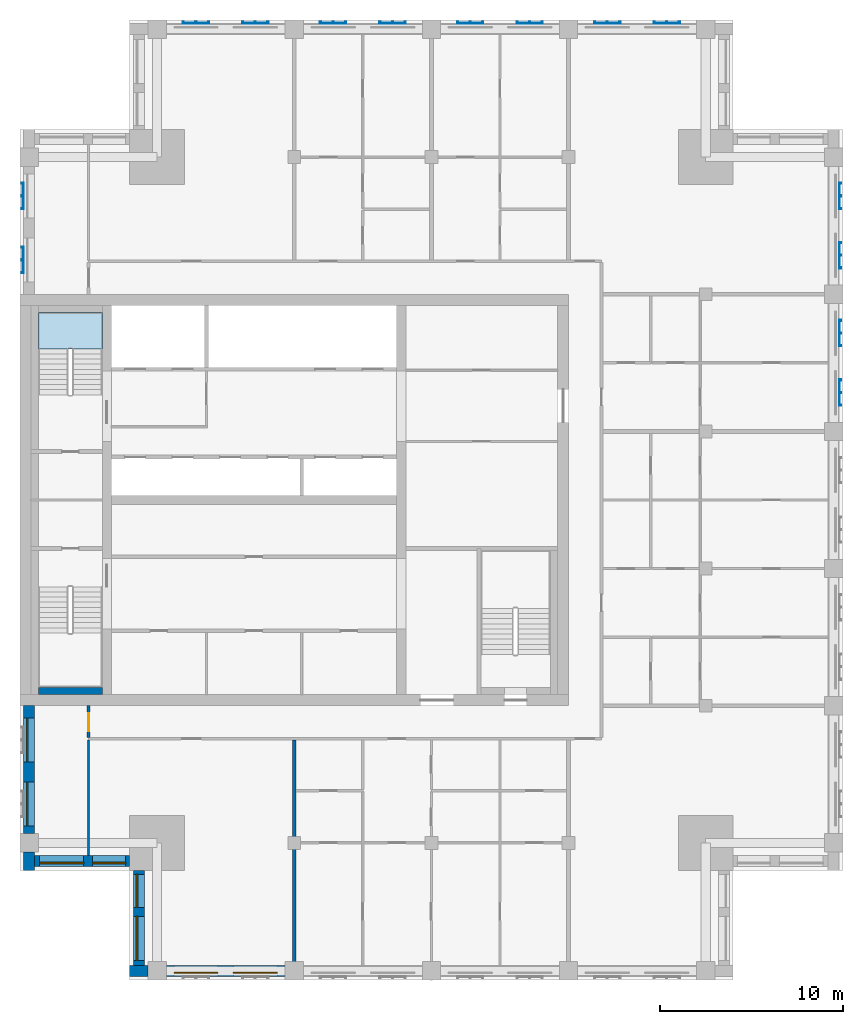
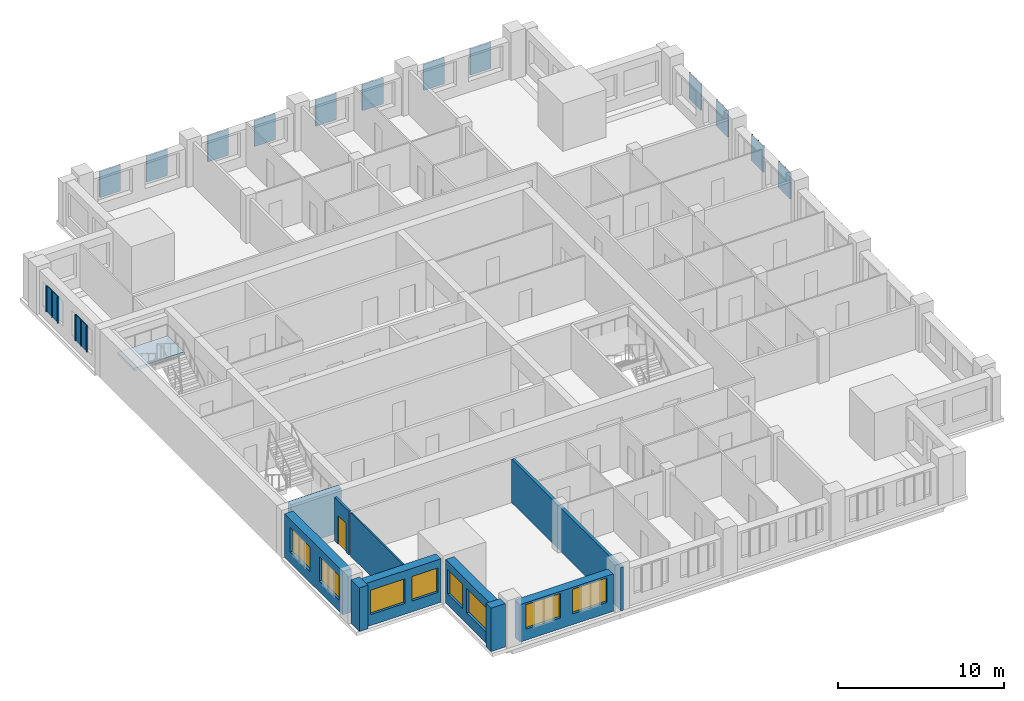
# One storey, part 2 of 10: 14 plates, 10 walls, 8 windows, 1 door, 1 slab, 9 openings, 1 element without a shape of its own.
"""IFC4 building model written with IfcOpenShell, lengths in metres."""

from ifc_helpers import new_model, si_unit, direction, frame, frame_2d, origin, place, context, subcontext, project, spatial, polyline, rectangle, outline, extrude, material, layer, layer_set, type_object, element, fill, aggregate, save


model = new_model("IFC4")

# Units and contexts
model_context = context("Model", 3, precision=1e-05, world=origin(), true_north=direction((0.0, 1.0)))
body_context = subcontext(model_context, "Body", "Model", "MODEL_VIEW")
ifc_project = project(units=[si_unit("LENGTHUNIT", "METRE"), si_unit("AREAUNIT", "SQUARE_METRE"), si_unit("VOLUMEUNIT", "CUBIC_METRE"), si_unit("PLANEANGLEUNIT", "RADIAN"), si_unit("MASSUNIT", "GRAM", prefix="KILO")], contexts=[model_context])

# Site, building, storey
site_placement = place(None, origin())
site = spatial("IfcSite", under=ifc_project, at=site_placement, CompositionType="ELEMENT")
building_placement = place(site_placement, origin())
building = spatial("IfcBuilding", under=site, at=building_placement, Name="Tamorin Gate", CompositionType="ELEMENT")
storey_placement = place(building_placement, frame((0.0, 0.0, 283.699951171875)))
storey = spatial("IfcBuildingStorey", under=building, at=storey_placement, Name="L71", CompositionType="ELEMENT", Elevation=283.699951171875)

# Stair, slab
ifc_material_1 = material(Name="Concrete C40/50", Category="concrete")
stair_type = type_object("IfcStairType", Name="Exit stair", PredefinedType="HALF_TURN_STAIR", material=ifc_material_1)
stair_placement = place(storey_placement, origin())
stair = element("IfcStair", 1, at=stair_placement, inside=storey, type_object=stair_type, Name="L71 stair ST2", PredefinedType="HALF_TURN_STAIR")
ifc_layer_1 = layer(ifc_material_1, 0.199951171875)
ifc_layer_set_1 = layer_set([ifc_layer_1], Name="Exit stair landing 200")
slab_type = type_object("IfcSlabType", Name="Exit stair landing 200", PredefinedType="LANDING", material=ifc_layer_set_1)
slab_placement = place(storey_placement, frame((0.0, 0.0, 1.550048828125)))
slab = element("IfcSlab", 2, at=slab_placement, type_object=slab_type, Name="ST2 landing 1", PredefinedType="LANDING", context=body_context, shape_type="SweptSolid", body=[
    extrude(outline(polyline([(34.5, 79.52001953125), (34.5, 81.5), (31.0, 81.5), (31.0, 79.52001953125), (34.5, 79.52001953125)])), origin(), (0.0, 0.0, 1.0), 0.199951171875),
])
aggregate(stair, [slab])

# Plates
ifc_material_2 = material(Name="Perforated pale aluminium sheet", Category="aluminium")
ifc_layer_2 = layer(ifc_material_2, 0.0400390625)
ifc_layer_set_2 = layer_set([ifc_layer_2], Name="Pale metal solar screen 1440")
plate_type = type_object("IfcPlateType", Name="Pale metal solar screen 1440", PredefinedType="SHEET", material=ifc_layer_set_2)
plate_1_placement = place(storey_placement, frame((0.0, 0.0, 0.737548828125)))
element("IfcPlate", 3, at=plate_1_placement, inside=storey, type_object=plate_type, Name="Perforated solar screen", PredefinedType="SHEET", context=body_context, shape_type="SweptSolid", body=[
    extrude(outline(polyline([(74.840087890625, 76.405029296875), (74.800048828125, 76.405029296875), (74.800048828125, 76.465087890625), (74.800048828125, 77.094970703125), (74.800048828125, 77.155029296875), (74.800048828125, 77.784912109375), (74.800048828125, 77.844970703125), (74.840087890625, 77.844970703125), (74.89990234375, 77.844970703125), (74.89990234375, 77.784912109375), (74.840087890625, 77.784912109375), (74.840087890625, 77.155029296875), (74.89990234375, 77.155029296875), (74.89990234375, 77.094970703125), (74.840087890625, 77.094970703125), (74.840087890625, 76.465087890625), (74.89990234375, 76.465087890625), (74.89990234375, 76.405029296875), (74.840087890625, 76.405029296875)])), origin(), (0.0, 0.0, 1.0), 1.925048828125),
])
plate_2_placement = place(storey_placement, frame((0.0, 0.0, 0.737548828125)))
element("IfcPlate", 4, at=plate_2_placement, inside=storey, type_object=plate_type, Name="Perforated solar screen", PredefinedType="SHEET", context=body_context, shape_type="SweptSolid", body=[
    extrude(outline(polyline([(74.840087890625, 79.655029296875), (74.800048828125, 79.655029296875), (74.800048828125, 79.715087890625), (74.800048828125, 80.344970703125), (74.800048828125, 80.405029296875), (74.800048828125, 81.034912109375), (74.800048828125, 81.094970703125), (74.840087890625, 81.094970703125), (74.89990234375, 81.094970703125), (74.89990234375, 81.034912109375), (74.840087890625, 81.034912109375), (74.840087890625, 80.405029296875), (74.89990234375, 80.405029296875), (74.89990234375, 80.344970703125), (74.840087890625, 80.344970703125), (74.840087890625, 79.715087890625), (74.89990234375, 79.715087890625), (74.89990234375, 79.655029296875), (74.840087890625, 79.655029296875)])), origin(), (0.0, 0.0, 1.0), 1.925048828125),
])
plate_3_placement = place(storey_placement, frame((0.0, 0.0, 0.737548828125)))
element("IfcPlate", 5, at=plate_3_placement, inside=storey, type_object=plate_type, Name="Perforated solar screen", PredefinedType="SHEET", context=body_context, shape_type="SweptSolid", body=[
    extrude(outline(polyline([(74.840087890625, 83.905029296875), (74.800048828125, 83.905029296875), (74.800048828125, 83.965087890625), (74.800048828125, 84.594970703125), (74.800048828125, 84.655029296875), (74.800048828125, 85.284912109375), (74.800048828125, 85.344970703125), (74.840087890625, 85.344970703125), (74.89990234375, 85.344970703125), (74.89990234375, 85.284912109375), (74.840087890625, 85.284912109375), (74.840087890625, 84.655029296875), (74.89990234375, 84.655029296875), (74.89990234375, 84.594970703125), (74.840087890625, 84.594970703125), (74.840087890625, 83.965087890625), (74.89990234375, 83.965087890625), (74.89990234375, 83.905029296875), (74.840087890625, 83.905029296875)])), origin(), (0.0, 0.0, 1.0), 1.925048828125),
])
plate_4_placement = place(storey_placement, frame((0.0, 0.0, 0.737548828125)))
element("IfcPlate", 6, at=plate_4_placement, inside=storey, type_object=plate_type, Name="Perforated solar screen", PredefinedType="SHEET", context=body_context, shape_type="SweptSolid", body=[
    extrude(outline(polyline([(74.840087890625, 87.155029296875), (74.800048828125, 87.155029296875), (74.800048828125, 87.215087890625), (74.800048828125, 87.844970703125), (74.800048828125, 87.905029296875), (74.800048828125, 88.534912109375), (74.800048828125, 88.594970703125), (74.840087890625, 88.594970703125), (74.89990234375, 88.594970703125), (74.89990234375, 88.534912109375), (74.840087890625, 88.534912109375), (74.840087890625, 87.905029296875), (74.89990234375, 87.905029296875), (74.89990234375, 87.844970703125), (74.840087890625, 87.844970703125), (74.840087890625, 87.215087890625), (74.89990234375, 87.215087890625), (74.89990234375, 87.155029296875), (74.840087890625, 87.155029296875)])), origin(), (0.0, 0.0, 1.0), 1.925048828125),
])
plate_5_placement = place(storey_placement, frame((0.0, 0.0, 0.737548828125)))
element("IfcPlate", 7, at=plate_5_placement, inside=storey, type_object=plate_type, Name="Perforated solar screen", PredefinedType="SHEET", context=body_context, shape_type="SweptSolid", body=[
    extrude(outline(polyline([(62.844970703125, 97.340087890625), (62.844970703125, 97.300048828125), (62.784912109375, 97.300048828125), (62.155029296875, 97.300048828125), (62.094970703125, 97.300048828125), (61.465087890625, 97.300048828125), (61.405029296875, 97.300048828125), (61.405029296875, 97.300048828125), (61.405029296875, 97.340087890625), (61.405029296875, 97.340087890625), (61.405029296875, 97.39990234375), (61.465087890625, 97.39990234375), (61.465087890625, 97.340087890625), (62.094970703125, 97.340087890625), (62.094970703125, 97.39990234375), (62.155029296875, 97.39990234375), (62.155029296875, 97.340087890625), (62.784912109375, 97.340087890625), (62.784912109375, 97.39990234375), (62.844970703125, 97.39990234375), (62.844970703125, 97.340087890625)])), origin(), (0.0, 0.0, 1.0), 1.925048828125),
])
plate_6_placement = place(storey_placement, frame((0.0, 0.0, 0.737548828125)))
element("IfcPlate", 8, at=plate_6_placement, inside=storey, type_object=plate_type, Name="Perforated solar screen", PredefinedType="SHEET", context=body_context, shape_type="SweptSolid", body=[
    extrude(outline(polyline([(66.094970703125, 97.340087890625), (66.094970703125, 97.300048828125), (66.034912109375, 97.300048828125), (65.405029296875, 97.300048828125), (65.344970703125, 97.300048828125), (64.715087890625, 97.300048828125), (64.655029296875, 97.300048828125), (64.655029296875, 97.300048828125), (64.655029296875, 97.340087890625), (64.655029296875, 97.340087890625), (64.655029296875, 97.39990234375), (64.715087890625, 97.39990234375), (64.715087890625, 97.340087890625), (65.344970703125, 97.340087890625), (65.344970703125, 97.39990234375), (65.405029296875, 97.39990234375), (65.405029296875, 97.340087890625), (66.034912109375, 97.340087890625), (66.034912109375, 97.39990234375), (66.094970703125, 97.39990234375), (66.094970703125, 97.340087890625)])), origin(), (0.0, 0.0, 1.0), 1.925048828125),
])
plate_7_placement = place(storey_placement, frame((0.0, 0.0, 0.737548828125)))
element("IfcPlate", 9, at=plate_7_placement, inside=storey, type_object=plate_type, Name="Perforated solar screen", PredefinedType="SHEET", context=body_context, shape_type="SweptSolid", body=[
    extrude(outline(polyline([(55.344970703125, 97.340087890625), (55.344970703125, 97.300048828125), (55.284912109375, 97.300048828125), (54.655029296875, 97.300048828125), (54.594970703125, 97.300048828125), (53.965087890625, 97.300048828125), (53.905029296875, 97.300048828125), (53.905029296875, 97.340087890625), (53.905029296875, 97.39990234375), (53.965087890625, 97.39990234375), (53.965087890625, 97.340087890625), (54.594970703125, 97.340087890625), (54.594970703125, 97.39990234375), (54.655029296875, 97.39990234375), (54.655029296875, 97.340087890625), (55.284912109375, 97.340087890625), (55.284912109375, 97.39990234375), (55.344970703125, 97.39990234375), (55.344970703125, 97.340087890625)])), origin(), (0.0, 0.0, 1.0), 1.925048828125),
])
plate_8_placement = place(storey_placement, frame((0.0, 0.0, 0.737548828125)))
element("IfcPlate", 10, at=plate_8_placement, inside=storey, type_object=plate_type, Name="Perforated solar screen", PredefinedType="SHEET", context=body_context, shape_type="SweptSolid", body=[
    extrude(outline(polyline([(58.594970703125, 97.340087890625), (58.594970703125, 97.300048828125), (58.534912109375, 97.300048828125), (57.905029296875, 97.300048828125), (57.844970703125, 97.300048828125), (57.215087890625, 97.300048828125), (57.155029296875, 97.300048828125), (57.155029296875, 97.340087890625), (57.155029296875, 97.39990234375), (57.215087890625, 97.39990234375), (57.215087890625, 97.340087890625), (57.844970703125, 97.340087890625), (57.844970703125, 97.39990234375), (57.905029296875, 97.39990234375), (57.905029296875, 97.340087890625), (58.534912109375, 97.340087890625), (58.534912109375, 97.39990234375), (58.594970703125, 97.39990234375), (58.594970703125, 97.340087890625)])), origin(), (0.0, 0.0, 1.0), 1.925048828125),
])
plate_9_placement = place(storey_placement, frame((0.0, 0.0, 0.737548828125)))
element("IfcPlate", 11, at=plate_9_placement, inside=storey, type_object=plate_type, Name="Perforated solar screen", PredefinedType="SHEET", context=body_context, shape_type="SweptSolid", body=[
    extrude(outline(polyline([(47.844970703125, 97.340087890625), (47.844970703125, 97.300048828125), (47.784912109375, 97.300048828125), (47.155029296875, 97.300048828125), (47.094970703125, 97.300048828125), (46.465087890625, 97.300048828125), (46.405029296875, 97.300048828125), (46.405029296875, 97.340087890625), (46.405029296875, 97.39990234375), (46.465087890625, 97.39990234375), (46.465087890625, 97.340087890625), (47.094970703125, 97.340087890625), (47.094970703125, 97.39990234375), (47.155029296875, 97.39990234375), (47.155029296875, 97.340087890625), (47.784912109375, 97.340087890625), (47.784912109375, 97.39990234375), (47.844970703125, 97.39990234375), (47.844970703125, 97.340087890625)])), origin(), (0.0, 0.0, 1.0), 1.925048828125),
])
plate_10_placement = place(storey_placement, frame((0.0, 0.0, 0.737548828125)))
element("IfcPlate", 12, at=plate_10_placement, inside=storey, type_object=plate_type, Name="Perforated solar screen", PredefinedType="SHEET", context=body_context, shape_type="SweptSolid", body=[
    extrude(outline(polyline([(51.094970703125, 97.340087890625), (51.094970703125, 97.300048828125), (51.034912109375, 97.300048828125), (50.405029296875, 97.300048828125), (50.344970703125, 97.300048828125), (49.715087890625, 97.300048828125), (49.655029296875, 97.300048828125), (49.655029296875, 97.340087890625), (49.655029296875, 97.39990234375), (49.715087890625, 97.39990234375), (49.715087890625, 97.340087890625), (50.344970703125, 97.340087890625), (50.344970703125, 97.39990234375), (50.405029296875, 97.39990234375), (50.405029296875, 97.340087890625), (51.034912109375, 97.340087890625), (51.034912109375, 97.39990234375), (51.094970703125, 97.39990234375), (51.094970703125, 97.340087890625)])), origin(), (0.0, 0.0, 1.0), 1.925048828125),
])
plate_11_placement = place(storey_placement, frame((0.0, 0.0, 0.737548828125)))
element("IfcPlate", 13, at=plate_11_placement, inside=storey, type_object=plate_type, Name="Perforated solar screen", PredefinedType="SHEET", context=body_context, shape_type="SweptSolid", body=[
    extrude(outline(polyline([(40.344970703125, 97.340087890625), (40.344970703125, 97.300048828125), (40.284912109375, 97.300048828125), (39.655029296875, 97.300048828125), (39.594970703125, 97.300048828125), (38.965087890625, 97.300048828125), (38.905029296875, 97.300048828125), (38.905029296875, 97.340087890625), (38.905029296875, 97.39990234375), (38.965087890625, 97.39990234375), (38.965087890625, 97.340087890625), (39.594970703125, 97.340087890625), (39.594970703125, 97.39990234375), (39.655029296875, 97.39990234375), (39.655029296875, 97.340087890625), (40.284912109375, 97.340087890625), (40.284912109375, 97.39990234375), (40.344970703125, 97.39990234375), (40.344970703125, 97.340087890625)])), origin(), (0.0, 0.0, 1.0), 1.925048828125),
])
plate_12_placement = place(storey_placement, frame((0.0, 0.0, 0.737548828125)))
element("IfcPlate", 14, at=plate_12_placement, inside=storey, type_object=plate_type, Name="Perforated solar screen", PredefinedType="SHEET", context=body_context, shape_type="SweptSolid", body=[
    extrude(outline(polyline([(43.594970703125, 97.340087890625), (43.594970703125, 97.300048828125), (43.534912109375, 97.300048828125), (42.905029296875, 97.300048828125), (42.844970703125, 97.300048828125), (42.215087890625, 97.300048828125), (42.155029296875, 97.300048828125), (42.155029296875, 97.340087890625), (42.155029296875, 97.39990234375), (42.215087890625, 97.39990234375), (42.215087890625, 97.340087890625), (42.844970703125, 97.340087890625), (42.844970703125, 97.39990234375), (42.905029296875, 97.39990234375), (42.905029296875, 97.340087890625), (43.534912109375, 97.340087890625), (43.534912109375, 97.39990234375), (43.594970703125, 97.39990234375), (43.594970703125, 97.340087890625)])), origin(), (0.0, 0.0, 1.0), 1.925048828125),
])
plate_13_placement = place(storey_placement, frame((0.0, 0.0, 0.737548828125)))
element("IfcPlate", 15, at=plate_13_placement, inside=storey, type_object=plate_type, Name="Perforated solar screen", PredefinedType="SHEET", context=body_context, shape_type="SweptSolid", body=[
    extrude(outline(polyline([(30.159912109375, 85.094970703125), (30.199951171875, 85.094970703125), (30.199951171875, 85.034912109375), (30.199951171875, 84.405029296875), (30.199951171875, 84.344970703125), (30.199951171875, 83.715087890625), (30.199951171875, 83.655029296875), (30.199951171875, 83.655029296875), (30.159912109375, 83.655029296875), (30.159912109375, 83.655029296875), (30.10009765625, 83.655029296875), (30.10009765625, 83.715087890625), (30.159912109375, 83.715087890625), (30.159912109375, 84.344970703125), (30.10009765625, 84.344970703125), (30.10009765625, 84.405029296875), (30.159912109375, 84.405029296875), (30.159912109375, 85.034912109375), (30.10009765625, 85.034912109375), (30.10009765625, 85.094970703125), (30.159912109375, 85.094970703125)])), origin(), (0.0, 0.0, 1.0), 1.925048828125),
])
plate_14_placement = place(storey_placement, frame((0.0, 0.0, 0.737548828125)))
element("IfcPlate", 16, at=plate_14_placement, inside=storey, type_object=plate_type, Name="Perforated solar screen", PredefinedType="SHEET", context=body_context, shape_type="SweptSolid", body=[
    extrude(outline(polyline([(30.159912109375, 88.594970703125), (30.199951171875, 88.594970703125), (30.199951171875, 88.534912109375), (30.199951171875, 87.905029296875), (30.199951171875, 87.844970703125), (30.199951171875, 87.215087890625), (30.199951171875, 87.155029296875), (30.199951171875, 87.155029296875), (30.159912109375, 87.155029296875), (30.159912109375, 87.155029296875), (30.10009765625, 87.155029296875), (30.10009765625, 87.215087890625), (30.159912109375, 87.215087890625), (30.159912109375, 87.844970703125), (30.10009765625, 87.844970703125), (30.10009765625, 87.905029296875), (30.159912109375, 87.905029296875), (30.159912109375, 88.534912109375), (30.10009765625, 88.534912109375), (30.10009765625, 88.594970703125), (30.159912109375, 88.594970703125)])), origin(), (0.0, 0.0, 1.0), 1.925048828125),
])

# Wall
ifc_material_3 = material(Name="Precast concrete C40/50", Category="concrete")
ifc_layer_3 = layer(ifc_material_3, 0.60009765625)
ifc_layer_set_3 = layer_set([ifc_layer_3], Name="Precast concrete C40/50")
wall_type_1 = type_object("IfcWallType", Name="Board-marked concrete facade panel 600", PredefinedType="SOLIDWALL", material=ifc_layer_set_3)
wall_1_placement = place(storey_placement, frame((36.0, 45.5, 0.0), z_axis=(0.0, 0.0, 1.0), x_axis=(1.0, 0.0, 0.0)))
element("IfcWall", 17, at=wall_1_placement, inside=storey, type_object=wall_type_1, Name="Facade panel", PredefinedType="SOLIDWALL", context=body_context, shape_type="SweptSolid", body=[
    extrude(rectangle(XDim=1.0, YDim=0.60009765625, at=frame_2d((0.5, 0.0))), origin(), (0.0, 0.0, 1.0), 3.199951171875),
])

# Wall, openings, windows
wall_2_placement = place(storey_placement, frame((38.0, 45.5, 0.0), z_axis=(0.0, 0.0, 1.0), x_axis=(1.0, 0.0, 0.0)))
wall_2 = element("IfcWall", 18, at=wall_2_placement, inside=storey, type_object=wall_type_1, Name="Facade panel", PredefinedType="SOLIDWALL", context=body_context, shape_type="SweptSolid", body=[
    extrude(rectangle(XDim=6.5, YDim=0.60009765625, at=frame_2d((3.25, 0.0))), origin(), (0.0, 0.0, 1.0), 2.75),
])
opening_1_placement = place(wall_2_placement, frame((0.425048828125, 0.0, 0.800048828125)))
opening_1 = element("IfcOpeningElement", 19, at=opening_1_placement, cuts=wall_2, Name="Opening WN1", PredefinedType="OPENING", context=body_context, shape_type="SweptSolid", body=[
    extrude(rectangle(XDim=2.39990234375, YDim=1.800048828125, at=frame_2d((1.199951171875, 0.89990234375))), frame((0.0, 0.31005859375, 0.0), z_axis=(0.0, -1.0, 0.0), x_axis=(1.0, 0.0, 0.0)), (0.0, 0.0, 1.0), 0.6201171875),
])
opening_2_placement = place(wall_2_placement, frame((3.675048828125, 0.0, 0.800048828125)))
opening_2 = element("IfcOpeningElement", 20, at=opening_2_placement, cuts=wall_2, Name="Opening WN1", PredefinedType="OPENING", context=body_context, shape_type="SweptSolid", body=[
    extrude(rectangle(XDim=2.39990234375, YDim=1.800048828125, at=frame_2d((1.199951171875, 0.89990234375))), frame((0.0, 0.31005859375, 0.0), z_axis=(0.0, -1.0, 0.0), x_axis=(1.0, 0.0, 0.0)), (0.0, 0.0, 1.0), 0.6201171875),
])
ifc_material_4 = material(Name="Clear glass in aluminium frame", Category="aluminium")
window_type_1 = type_object("IfcWindowType", Name="Deep-set window 2400x1800", PartitioningType="SINGLE_PANEL", PredefinedType="WINDOW", material=ifc_material_4)
window_1_placement = place(opening_1_placement, origin())
window_1 = element("IfcWindow", 21, at=window_1_placement, inside=storey, type_object=window_type_1, Name="Deep-set window", OverallHeight=1.800048828125, OverallWidth=2.39990234375, PartitioningType="SINGLE_PANEL", PredefinedType="WINDOW", context=body_context, shape_type="SweptSolid", body=[
    extrude(rectangle(XDim=2.39990234375, YDim=1.800048828125, at=frame_2d((1.199951171875, 0.89990234375))), frame((0.0, -0.070068359375, 0.0), z_axis=(0.0, -1.0, 0.0), x_axis=(1.0, 0.0, 0.0)), (0.0, 0.0, 1.0), 0.06005859375),
])
fill(opening_1, window_1)
window_2_placement = place(opening_2_placement, origin())
window_2 = element("IfcWindow", 22, at=window_2_placement, inside=storey, type_object=window_type_1, Name="Deep-set window", OverallHeight=1.800048828125, OverallWidth=2.39990234375, PartitioningType="SINGLE_PANEL", PredefinedType="WINDOW", context=body_context, shape_type="SweptSolid", body=[
    extrude(rectangle(XDim=2.39990234375, YDim=1.800048828125, at=frame_2d((1.199951171875, 0.89990234375))), frame((0.0, -0.070068359375, 0.0), z_axis=(0.0, -1.0, 0.0), x_axis=(1.0, 0.0, 0.0)), (0.0, 0.0, 1.0), 0.06005859375),
])
fill(opening_2, window_2)

wall_3_placement = place(storey_placement, frame((30.5, 60.0, 0.0), z_axis=(0.0, 0.0, 1.0), x_axis=(0.0, -1.0, 0.0)))
wall_3 = element("IfcWall", 23, at=wall_3_placement, inside=storey, type_object=wall_type_1, Name="Facade panel", PredefinedType="SOLIDWALL", context=body_context, shape_type="SweptSolid", body=[
    extrude(rectangle(XDim=7.0, YDim=0.60009765625, at=frame_2d((3.5, 0.0))), origin(), (0.0, 0.0, 1.0), 3.199951171875),
])
opening_3_placement = place(wall_3_placement, frame((4.175048828125, 0.0, 0.800048828125)))
opening_3 = element("IfcOpeningElement", 24, at=opening_3_placement, cuts=wall_3, Name="Opening WN1", PredefinedType="OPENING", context=body_context, shape_type="SweptSolid", body=[
    extrude(rectangle(XDim=2.39990234375, YDim=1.800048828125, at=frame_2d((1.199951171875, 0.89990234375))), frame((0.0, 0.31005859375, 0.0), z_axis=(0.0, -1.0, 0.0), x_axis=(1.0, 0.0, 0.0)), (0.0, 0.0, 1.0), 0.6201171875),
])
opening_4_placement = place(wall_3_placement, frame((0.675048828125, 0.0, 0.800048828125)))
opening_4 = element("IfcOpeningElement", 25, at=opening_4_placement, cuts=wall_3, Name="Opening WN1", PredefinedType="OPENING", context=body_context, shape_type="SweptSolid", body=[
    extrude(rectangle(XDim=2.39990234375, YDim=1.800048828125, at=frame_2d((1.199951171875, 0.89990234375))), frame((0.0, 0.31005859375, 0.0), z_axis=(0.0, -1.0, 0.0), x_axis=(1.0, 0.0, 0.0)), (0.0, 0.0, 1.0), 0.6201171875),
])
window_3_placement = place(opening_3_placement, origin())
window_3 = element("IfcWindow", 26, at=window_3_placement, inside=storey, type_object=window_type_1, Name="Deep-set window", OverallHeight=1.800048828125, OverallWidth=2.39990234375, PartitioningType="SINGLE_PANEL", PredefinedType="WINDOW", context=body_context, shape_type="SweptSolid", body=[
    extrude(rectangle(XDim=2.39990234375, YDim=1.800048828125, at=frame_2d((1.199951171875, 0.89990234375))), frame((0.0, -0.070068359375, 0.0), z_axis=(0.0, -1.0, 0.0), x_axis=(1.0, 0.0, 0.0)), (0.0, 0.0, 1.0), 0.06005859375),
])
fill(opening_3, window_3)
window_4_placement = place(opening_4_placement, origin())
window_4 = element("IfcWindow", 27, at=window_4_placement, inside=storey, type_object=window_type_1, Name="Deep-set window", OverallHeight=1.800048828125, OverallWidth=2.39990234375, PartitioningType="SINGLE_PANEL", PredefinedType="WINDOW", context=body_context, shape_type="SweptSolid", body=[
    extrude(rectangle(XDim=2.39990234375, YDim=1.800048828125, at=frame_2d((1.199951171875, 0.89990234375))), frame((0.0, -0.070068359375, 0.0), z_axis=(0.0, -1.0, 0.0), x_axis=(1.0, 0.0, 0.0)), (0.0, 0.0, 1.0), 0.06005859375),
])
fill(opening_4, window_4)

# Wall
wall_4_placement = place(storey_placement, frame((30.5, 52.0, 0.0), z_axis=(0.0, 0.0, 1.0), x_axis=(0.0, -1.0, 0.0)))
element("IfcWall", 28, at=wall_4_placement, inside=storey, type_object=wall_type_1, Name="Facade panel", PredefinedType="SOLIDWALL", context=body_context, shape_type="SweptSolid", body=[
    extrude(rectangle(XDim=1.0, YDim=0.60009765625, at=frame_2d((0.5, 0.0))), origin(), (0.0, 0.0, 1.0), 3.199951171875),
])

# Wall, openings, windows
wall_5_placement = place(storey_placement, frame((30.800048828125, 51.5, 0.0), z_axis=(0.0, 0.0, 1.0), x_axis=(1.0, 0.0, 0.0)))
wall_5 = element("IfcWall", 29, at=wall_5_placement, inside=storey, type_object=wall_type_1, Name="Facade panel", PredefinedType="SOLIDWALL", context=body_context, shape_type="SweptSolid", body=[
    extrude(rectangle(XDim=5.199951171875, YDim=0.60009765625, at=frame_2d((2.60009765625, 0.0))), origin(), (0.0, 0.0, 1.0), 3.199951171875),
])
opening_5_placement = place(wall_5_placement, frame((0.27490234375, 0.0, 0.800048828125)))
opening_5 = element("IfcOpeningElement", 30, at=opening_5_placement, cuts=wall_5, Name="Opening WN1", PredefinedType="OPENING", context=body_context, shape_type="SweptSolid", body=[
    extrude(rectangle(XDim=2.39990234375, YDim=1.800048828125, at=frame_2d((1.199951171875, 0.89990234375))), frame((0.0, 0.31005859375, 0.0), z_axis=(0.0, -1.0, 0.0), x_axis=(1.0, 0.0, 0.0)), (0.0, 0.0, 1.0), 0.6201171875),
])
opening_6_placement = place(wall_5_placement, frame((3.175048828125, 0.0, 0.800048828125)))
opening_6 = element("IfcOpeningElement", 31, at=opening_6_placement, cuts=wall_5, Name="Opening WN2", PredefinedType="OPENING", context=body_context, shape_type="SweptSolid", body=[
    extrude(rectangle(XDim=1.800048828125, YDim=1.800048828125, at=frame_2d((0.89990234375, 0.89990234375))), frame((0.0, 0.31005859375, 0.0), z_axis=(0.0, -1.0, 0.0), x_axis=(1.0, 0.0, 0.0)), (0.0, 0.0, 1.0), 0.6201171875),
])
window_type_2 = type_object("IfcWindowType", Name="Deep-set window 1800x1800", PartitioningType="SINGLE_PANEL", PredefinedType="WINDOW", material=ifc_material_4)
window_5_placement = place(opening_6_placement, origin())
window_5 = element("IfcWindow", 32, at=window_5_placement, inside=storey, type_object=window_type_2, Name="Deep-set window", OverallHeight=1.800048828125, OverallWidth=1.800048828125, PartitioningType="SINGLE_PANEL", PredefinedType="WINDOW", context=body_context, shape_type="SweptSolid", body=[
    extrude(rectangle(XDim=1.800048828125, YDim=1.800048828125, at=frame_2d((0.89990234375, 0.89990234375))), frame((0.0, -0.070068359375, 0.0), z_axis=(0.0, -1.0, 0.0), x_axis=(1.0, 0.0, 0.0)), (0.0, 0.0, 1.0), 0.06005859375),
])
fill(opening_6, window_5)
window_6_placement = place(opening_5_placement, origin())
window_6 = element("IfcWindow", 33, at=window_6_placement, inside=storey, type_object=window_type_1, Name="Deep-set window", OverallHeight=1.800048828125, OverallWidth=2.39990234375, PartitioningType="SINGLE_PANEL", PredefinedType="WINDOW", context=body_context, shape_type="SweptSolid", body=[
    extrude(rectangle(XDim=2.39990234375, YDim=1.800048828125, at=frame_2d((1.199951171875, 0.89990234375))), frame((0.0, -0.070068359375, 0.0), z_axis=(0.0, -1.0, 0.0), x_axis=(1.0, 0.0, 0.0)), (0.0, 0.0, 1.0), 0.06005859375),
])
fill(opening_5, window_6)

wall_6_placement = place(storey_placement, frame((36.5, 51.0, 0.0), z_axis=(0.0, 0.0, 1.0), x_axis=(0.0, -1.0, 0.0)))
wall_6 = element("IfcWall", 34, at=wall_6_placement, inside=storey, type_object=wall_type_1, Name="Facade panel", PredefinedType="SOLIDWALL", context=body_context, shape_type="SweptSolid", body=[
    extrude(rectangle(XDim=5.199951171875, YDim=0.60009765625, at=frame_2d((2.60009765625, 0.0))), origin(), (0.0, 0.0, 1.0), 3.199951171875),
])
opening_7_placement = place(wall_6_placement, frame((2.52490234375, 0.0, 0.800048828125)))
opening_7 = element("IfcOpeningElement", 35, at=opening_7_placement, cuts=wall_6, Name="Opening WN1", PredefinedType="OPENING", context=body_context, shape_type="SweptSolid", body=[
    extrude(rectangle(XDim=2.39990234375, YDim=1.800048828125, at=frame_2d((1.199951171875, 0.89990234375))), frame((0.0, 0.31005859375, 0.0), z_axis=(0.0, -1.0, 0.0), x_axis=(1.0, 0.0, 0.0)), (0.0, 0.0, 1.0), 0.6201171875),
])
opening_8_placement = place(wall_6_placement, frame((0.22509765625, 0.0, 0.800048828125)))
opening_8 = element("IfcOpeningElement", 36, at=opening_8_placement, cuts=wall_6, Name="Opening WN2", PredefinedType="OPENING", context=body_context, shape_type="SweptSolid", body=[
    extrude(rectangle(XDim=1.800048828125, YDim=1.800048828125, at=frame_2d((0.89990234375, 0.89990234375))), frame((0.0, 0.31005859375, 0.0), z_axis=(0.0, -1.0, 0.0), x_axis=(1.0, 0.0, 0.0)), (0.0, 0.0, 1.0), 0.6201171875),
])
window_7_placement = place(opening_8_placement, origin())
window_7 = element("IfcWindow", 37, at=window_7_placement, inside=storey, type_object=window_type_2, Name="Deep-set window", OverallHeight=1.800048828125, OverallWidth=1.800048828125, PartitioningType="SINGLE_PANEL", PredefinedType="WINDOW", context=body_context, shape_type="SweptSolid", body=[
    extrude(rectangle(XDim=1.800048828125, YDim=1.800048828125, at=frame_2d((0.89990234375, 0.89990234375))), frame((0.0, -0.070068359375, 0.0), z_axis=(0.0, -1.0, 0.0), x_axis=(1.0, 0.0, 0.0)), (0.0, 0.0, 1.0), 0.06005859375),
])
fill(opening_8, window_7)
window_8_placement = place(opening_7_placement, origin())
window_8 = element("IfcWindow", 38, at=window_8_placement, inside=storey, type_object=window_type_1, Name="Deep-set window", OverallHeight=1.800048828125, OverallWidth=2.39990234375, PartitioningType="SINGLE_PANEL", PredefinedType="WINDOW", context=body_context, shape_type="SweptSolid", body=[
    extrude(rectangle(XDim=2.39990234375, YDim=1.800048828125, at=frame_2d((1.199951171875, 0.89990234375))), frame((0.0, -0.070068359375, 0.0), z_axis=(0.0, -1.0, 0.0), x_axis=(1.0, 0.0, 0.0)), (0.0, 0.0, 1.0), 0.06005859375),
])
fill(opening_7, window_8)

# Wall, opening, door
ifc_material_5 = material(Name="Gypsum board partition")
ifc_layer_4 = layer(ifc_material_5, 0.14990234375)
ifc_layer_set_4 = layer_set([ifc_layer_4], Name="Corridor wall 150")
wall_type_2 = type_object("IfcWallType", Name="Corridor wall 150", PredefinedType="PARTITIONING", material=ifc_layer_set_4)
wall_7_placement = place(storey_placement, frame((33.75, 58.27490234375, 0.0), z_axis=(0.0, 0.0, 1.0), x_axis=(0.0, 1.0, 0.0)))
wall_7 = element("IfcWall", 39, at=wall_7_placement, inside=storey, type_object=wall_type_2, Name="Corridor wall 150", PredefinedType="PARTITIONING", context=body_context, shape_type="SweptSolid", body=[
    extrude(rectangle(XDim=1.72509765625, YDim=0.14990234375, at=frame_2d((0.862548828125, 0.0))), origin(), (0.0, 0.0, 1.0), 3.199951171875),
])
opening_9_placement = place(wall_7_placement, frame((0.324951171875, 0.0, 0.0)))
opening_9 = element("IfcOpeningElement", 40, at=opening_9_placement, cuts=wall_7, Name="Opening DR10001", PredefinedType="OPENING", context=body_context, shape_type="SweptSolid", body=[
    extrude(rectangle(XDim=1.0, YDim=2.10009765625, at=frame_2d((0.5, 1.050048828125))), frame((0.0, 0.0849609375, 0.0), z_axis=(0.0, -1.0, 0.0), x_axis=(1.0, 0.0, 0.0)), (0.0, 0.0, 1.0), 0.169921875),
])
ifc_material_6 = material(Name="Timber door leaf", Category="wood")
door_type = type_object("IfcDoorType", Name="Door 1000 x 2100 FD30S", OperationType="NOTDEFINED", PredefinedType="DOOR", material=ifc_material_6)
door_placement = place(opening_9_placement, origin())
door = element("IfcDoor", 41, at=door_placement, inside=storey, type_object=door_type, Name="Door DR10001", OperationType="SINGLE_SWING_RIGHT", OverallHeight=2.10009765625, OverallWidth=1.0, PredefinedType="DOOR", context=body_context, shape_type="SweptSolid", body=[
    extrude(rectangle(XDim=1.0, YDim=2.10009765625, at=frame_2d((0.5, 1.050048828125))), frame((0.0, 0.02490234375, 0.0), z_axis=(0.0, -1.0, 0.0), x_axis=(1.0, 0.0, 0.0)), (0.0, 0.0, 1.0), 0.050048828125),
])
fill(opening_9, door)

# Walls
ifc_layer_5 = layer(ifc_material_5, 0.199951171875)
ifc_layer_set_5 = layer_set([ifc_layer_5], Name="Demising wall 200")
wall_type_3 = type_object("IfcWallType", Name="Demising wall 200", PredefinedType="PARTITIONING", material=ifc_layer_set_5)
wall_8_placement = place(storey_placement, frame((45.0, 45.0, 0.0), z_axis=(0.0, 0.0, 1.0), x_axis=(0.0, 1.0, 0.0)))
element("IfcWall", 42, at=wall_8_placement, inside=storey, type_object=wall_type_3, Name="Demising wall 200", PredefinedType="PARTITIONING", context=body_context, shape_type="SweptSolid", body=[
    extrude(rectangle(XDim=13.125, YDim=0.199951171875, at=frame_2d((6.5625, 0.0))), origin(), (0.0, 0.0, 1.0), 3.199951171875),
])
ifc_layer_6 = layer(ifc_material_5, 0.10009765625)
ifc_layer_set_6 = layer_set([ifc_layer_6], Name="Room partition 100")
wall_type_4 = type_object("IfcWallType", Name="Room partition 100", PredefinedType="PARTITIONING", material=ifc_layer_set_6)
wall_9_placement = place(storey_placement, frame((33.75, 51.81005859375, 0.0), z_axis=(0.0, 0.0, 1.0), x_axis=(0.0, 1.0, 0.0)))
element("IfcWall", 43, at=wall_9_placement, inside=storey, type_object=wall_type_4, Name="Room partition 100", PredefinedType="PARTITIONING", context=body_context, shape_type="SweptSolid", body=[
    extrude(rectangle(XDim=6.31494140625, YDim=0.10009765625, at=frame_2d((3.157470703125, 0.0))), origin(), (0.0, 0.0, 1.0), 3.199951171875),
])
ifc_material_7 = material(Name="Concrete C50/60", Category="concrete")
ifc_layer_7 = layer(ifc_material_7, 0.39990234375)
ifc_layer_set_7 = layer_set([ifc_layer_7], Name="Stair lining wall 400 EI 120 C50/60")
wall_type_5 = type_object("IfcWallType", Name="Stair lining wall 400 EI 120 C50/60", PredefinedType="SOLIDWALL", material=ifc_layer_set_7)
wall_10_placement = place(storey_placement, frame((31.0, 60.800048828125, 0.0), z_axis=(0.0, 0.0, 1.0), x_axis=(1.0, 0.0, 0.0)))
element("IfcWall", 44, at=wall_10_placement, inside=storey, type_object=wall_type_5, Name="Stair lining wall", PredefinedType="SOLIDWALL", context=body_context, shape_type="SweptSolid", body=[
    extrude(rectangle(XDim=3.5, YDim=0.39990234375, at=frame_2d((1.75, 0.0))), origin(), (0.0, 0.0, 1.0), 3.199951171875),
])

save(model, "model.ifc")
